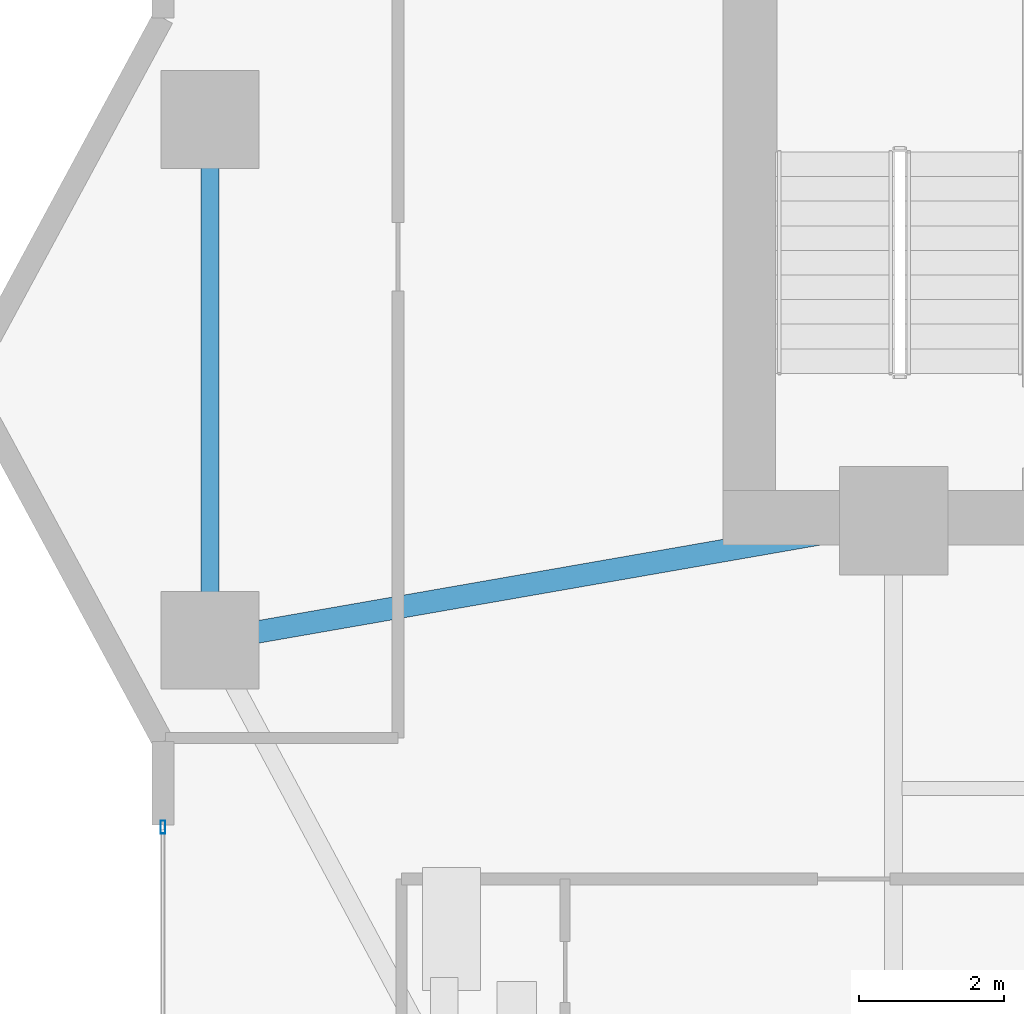
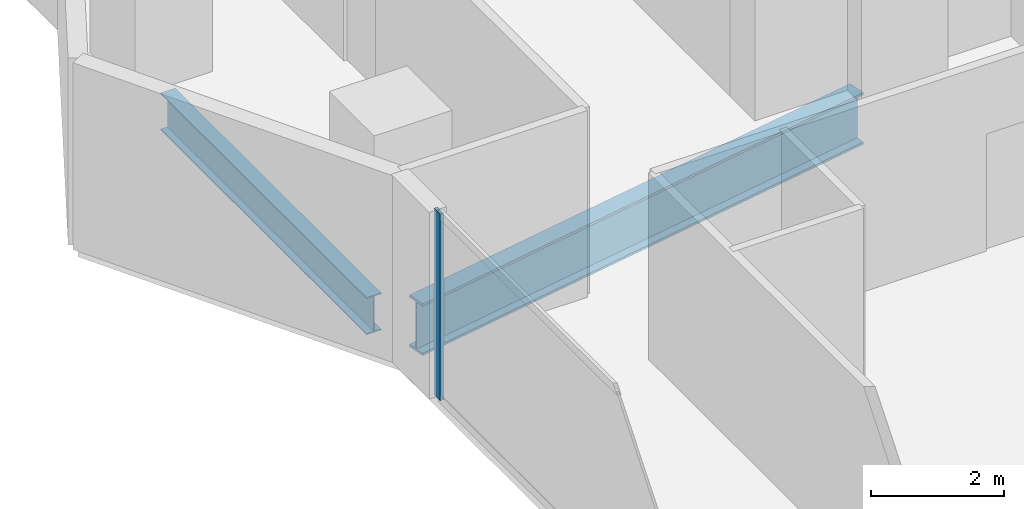
# One storey, part 7 of 29: 2 beams, 1 member, 1 element without a shape of its own.
"""IFC4 building model written with IfcOpenShell, lengths in metres."""

from ifc_helpers import new_model, si_unit, direction, frame, origin, origin_2d, place, context, subcontext, project, spatial, hollow_rectangle, i_section, extrude, material, layer, layer_set, material_profile, profile_set, type_object, element, aggregate, save


model = new_model("IFC4")

# Units and contexts
model_context = context("Model", 3, precision=1e-05, world=origin(), true_north=direction((0.0, 1.0)))
body_context = subcontext(model_context, "Body", "Model", "MODEL_VIEW")
ifc_project = project(units=[si_unit("LENGTHUNIT", "METRE"), si_unit("AREAUNIT", "SQUARE_METRE"), si_unit("VOLUMEUNIT", "CUBIC_METRE"), si_unit("PLANEANGLEUNIT", "RADIAN"), si_unit("MASSUNIT", "GRAM", prefix="KILO")], contexts=[model_context])

# Site, building, storey
site_placement = place(None, origin())
site = spatial("IfcSite", under=ifc_project, at=site_placement, CompositionType="ELEMENT")
building_placement = place(site_placement, origin())
building = spatial("IfcBuilding", under=site, at=building_placement, Name="Zuhayl Quay Hotel", CompositionType="ELEMENT")
storey_placement = place(building_placement, frame((0.0, 0.0, 132.14990234375)))
storey = spatial("IfcBuildingStorey", under=building, at=storey_placement, Name="L33", CompositionType="ELEMENT", Elevation=132.14990234375)

# Beams
ifc_material_1 = material(Name="Steel ASTM A992 Grade 50", Category="steel")
ifc_material_profile_1 = material_profile(ifc_material_1, i_section(OverallWidth=0.25390625, OverallDepth=0.68310546875, WebThickness=0.012451171875, FlangeThickness=0.018798828125, at=origin_2d()), Name="W27X94")
ifc_profile_set_1 = profile_set([ifc_material_profile_1], Name="Steel ASTM A992 Grade 50")
beam_type_1 = type_object("IfcBeamType", Name="BM_B2_W27X94", PredefinedType="BEAM", material=ifc_profile_set_1)
beam_1_placement = place(storey_placement, frame((-23.25, 9.60009765625, -0.5615234375), z_axis=(0.0, -1.0, 0.0), x_axis=(1.0, 0.0, 0.0)))
element("IfcBeam", 1, at=beam_1_placement, inside=storey, type_object=beam_type_1, Name="L33 Floor Beam RG_L33_11", PredefinedType="BEAM", context=body_context, shape_type="SweptSolid", body=[
    extrude(i_section(OverallWidth=0.25390625, OverallDepth=0.68310546875, WebThickness=0.012451171875, FlangeThickness=0.018798828125, at=origin_2d()), origin(), (0.0, 0.0, 1.0), 6.2001953125),
])
ifc_material_profile_2 = material_profile(ifc_material_1, i_section(OverallWidth=0.31005859375, OverallDepth=0.949951171875, WebThickness=0.0244140625, FlangeThickness=0.0439453125, at=origin_2d()), Name="W36X256")
ifc_profile_set_2 = profile_set([ifc_material_profile_2], Name="Steel ASTM A992 Grade 50")
beam_type_2 = type_object("IfcBeamType", Name="BM_PG1_W36X256", PredefinedType="BEAM", material=ifc_profile_set_2)
beam_2_placement = place(storey_placement, frame((-22.757568359375, 2.986083984375, -0.69482421875), z_axis=(0.985097302632, 0.171997977741, 0.0), x_axis=(-0.171997977741, 0.985097302632, 0.0)))
element("IfcBeam", 2, at=beam_2_placement, inside=storey, type_object=beam_type_2, Name="L33 Floor Beam FG_W_L33_1", PredefinedType="BEAM", context=body_context, shape_type="SweptSolid", body=[
    extrude(i_section(OverallWidth=0.31005859375, OverallDepth=0.949951171875, WebThickness=0.0244140625, FlangeThickness=0.0439453125, at=origin_2d()), origin(), (0.0, 0.0, 1.0), 8.64306640625),
])

# Curtain wall, member
ifc_material_2 = material(Name="Anodised Aluminium 6063-T6", Category="aluminium")
ifc_layer = layer(ifc_material_2, 0.179931640625, Name="Anodised Aluminium 6063-T6", Category="aluminium")
ifc_layer_set = layer_set([ifc_layer], Name="Anodised Aluminium 6063-T6")
curtain_wall_type = type_object("IfcCurtainWallType", Name="CW_SYS_Z2", PredefinedType="USERDEFINED", material=ifc_layer_set)
curtain_wall_placement = place(storey_placement, origin())
curtain_wall = element("IfcCurtainWall", 3, at=curtain_wall_placement, inside=storey, type_object=curtain_wall_type, Name="L33 Curtain Wall ENV_L33_E02_CW1", ObjectType="UNITISED CURTAIN WALL", PredefinedType="USERDEFINED")
ifc_material_3 = material(Name="Black-anodised aluminium 6063-T6", Category="aluminium")
ifc_material_profile_3 = material_profile(ifc_material_3, hollow_rectangle(XDim=0.06494140625, YDim=0.179931640625, WallThickness=0.00341796875, at=origin_2d()), Name="ALU180X65")
ifc_profile_set_3 = profile_set([ifc_material_profile_3], Name="Black-anodised aluminium 6063-T6")
member_type = type_object("IfcMemberType", Name="MB_CW_MUL_180", PredefinedType="MULLION", material=ifc_profile_set_3)
member_placement = place(storey_placement, frame((-23.89990234375, 0.3173828125, 0.0), z_axis=(0.0, 0.0, 1.0), x_axis=(-1.0, 0.0, 0.0)))
member = element("IfcMember", 4, at=member_placement, type_object=member_type, Name="CW-Z2 mullion 2", PredefinedType="MULLION", context=body_context, shape_type="SweptSolid", body=[
    extrude(hollow_rectangle(XDim=0.06494140625, YDim=0.179931640625, WallThickness=0.00341796875, at=origin_2d()), origin(), (0.0, 0.0, 1.0), 3.43017578125),
])
aggregate(curtain_wall, [member])

save(model, "model.ifc")
